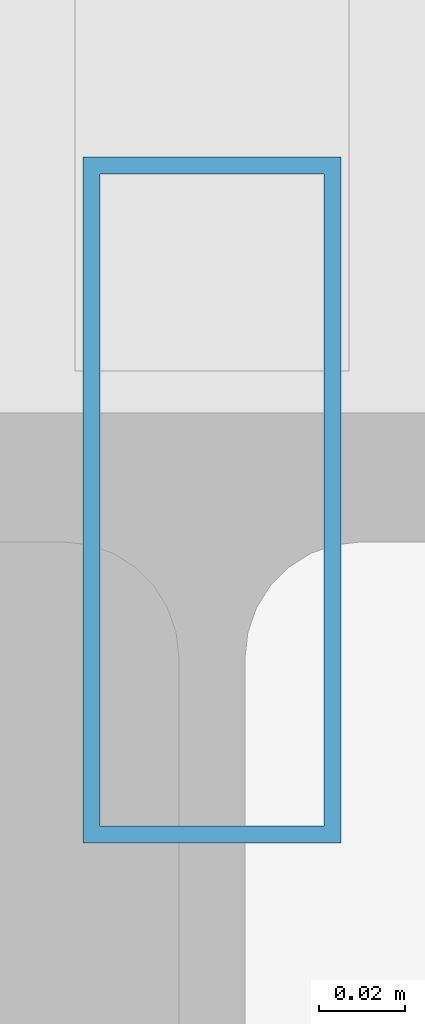
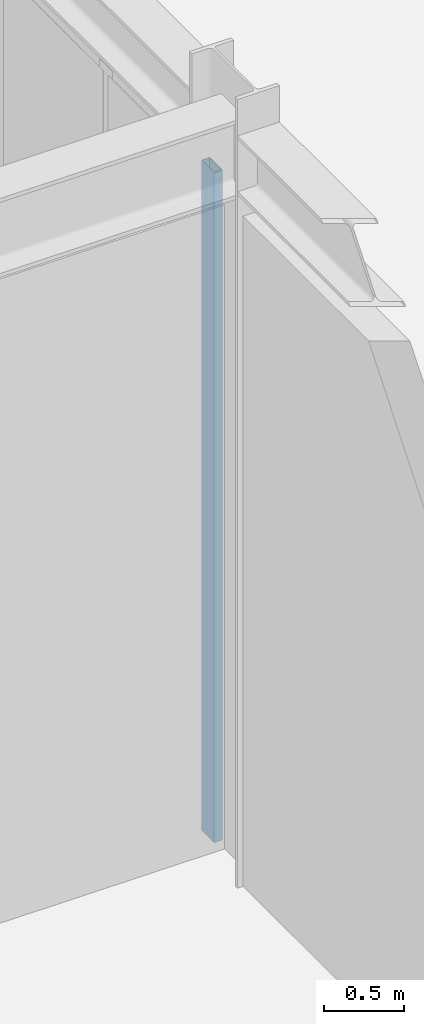
# One storey, part 80 of 146: 1 member, 1 element without a shape of its own.
"""IFC4 building model written with IfcOpenShell, lengths in metres."""

from ifc_helpers import new_model, si_unit, direction, frame, origin, origin_2d, place, context, subcontext, project, spatial, hollow_rectangle, extrude, material, material_profile, profile_set, type_object, element, aggregate, save


model = new_model("IFC4")

# Units and contexts
model_context = context("Model", 3, precision=1e-05, world=origin(), true_north=direction((0.0, 1.0)))
body_context = subcontext(model_context, "Body", "Model", "MODEL_VIEW")
ifc_project = project(units=[si_unit("LENGTHUNIT", "METRE"), si_unit("AREAUNIT", "SQUARE_METRE"), si_unit("VOLUMEUNIT", "CUBIC_METRE"), si_unit("PLANEANGLEUNIT", "RADIAN"), si_unit("MASSUNIT", "GRAM", prefix="KILO")], contexts=[model_context])

# Site, building, storey
site_placement = place(None, origin())
site = spatial("IfcSite", under=ifc_project, at=site_placement, CompositionType="ELEMENT")
building_placement = place(site_placement, origin())
building = spatial("IfcBuilding", under=site, at=building_placement, Name="Kaldris Quays Convention Centre", CompositionType="ELEMENT")
storey_placement = place(building_placement, origin())
storey = spatial("IfcBuildingStorey", under=building, at=storey_placement, Name="L00", CompositionType="ELEMENT", Elevation=0.0)

# Curtain wall, member
ifc_material_1 = material(Name="Anodized aluminium AW-6060 and triple glazing", Category="aluminium")
curtain_wall_type = type_object("IfcCurtainWallType", Name="UNITISED CURTAIN WALL CW04", PredefinedType="NOTDEFINED", material=ifc_material_1)
curtain_wall_placement = place(storey_placement, origin())
curtain_wall = element("IfcCurtainWall", 1, at=curtain_wall_placement, inside=storey, type_object=curtain_wall_type, Name="L00 Unitised Curtain Wall CW04 136", PredefinedType="NOTDEFINED")
ifc_material_2 = material(Name="Anodized aluminium AW-6060", Category="aluminium")
ifc_material_profile = material_profile(ifc_material_2, hollow_rectangle(XDim=0.06005859375, YDim=0.159912109375, WallThickness=0.00390625, at=origin_2d()), Name="RHS 160x60x4")
ifc_profile_set = profile_set([ifc_material_profile], Name="Anodized aluminium AW-6060")
member_type = type_object("IfcMemberType", Name="CURTAIN MULLION CWM1", PredefinedType="MULLION", material=ifc_profile_set)
member_placement = place(storey_placement, frame((164.0, 46.8798828125, 0.0), z_axis=(0.0, 0.0, 1.0), x_axis=(-1.0, 0.0, 0.0)))
member = element("IfcMember", 2, at=member_placement, type_object=member_type, Name="CW04 mullion 1", PredefinedType="MULLION", context=body_context, shape_type="SweptSolid", body=[
    extrude(hollow_rectangle(XDim=0.06005859375, YDim=0.159912109375, WallThickness=0.00390625, at=origin_2d()), origin(), (0.0, 0.0, 1.0), 5.097900390625),
])
aggregate(curtain_wall, [member])

save(model, "model.ifc")
